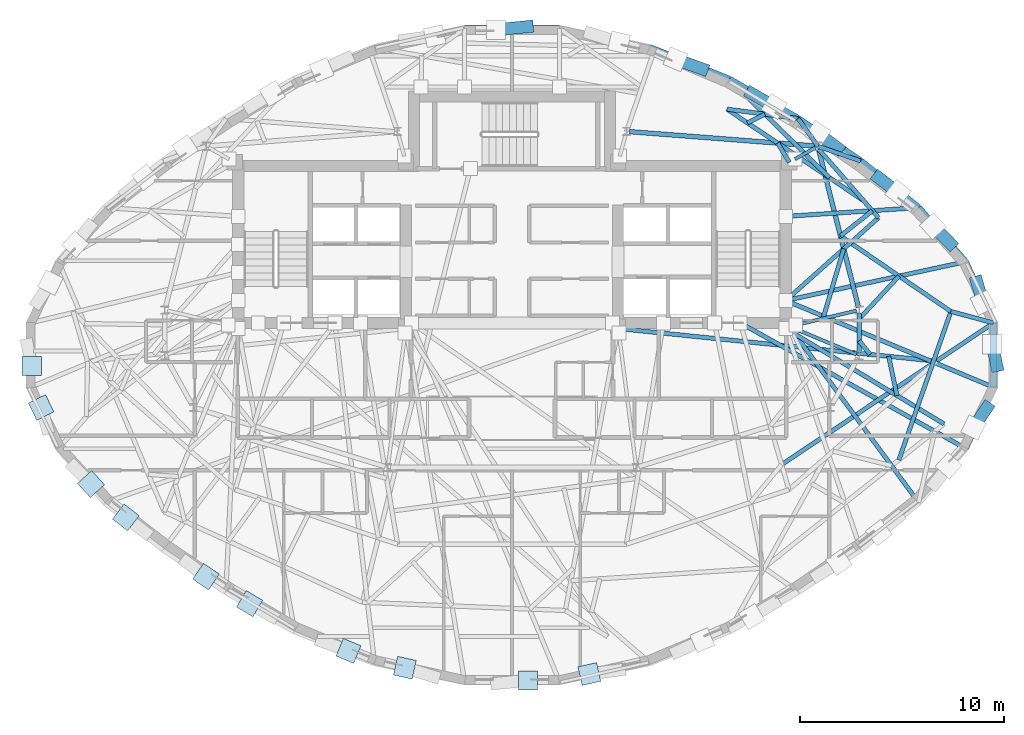
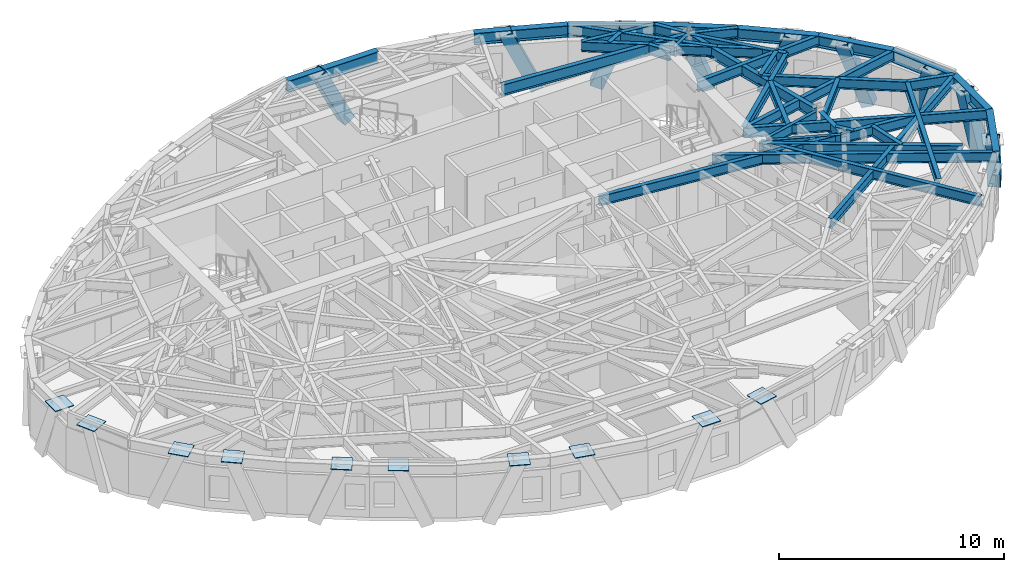
# One storey, part 4 of 13: 40 beams, 10 plates, 9 members.
"""IFC4 building model written with IfcOpenShell, lengths in metres."""

import ifcopenshell
import ifcopenshell.guid

model = None  # the IFC model being written
_history = None  # IfcOwnerHistory: only IFC2X3 demands one
_inside = {}  # id of a spatial element -> (the spatial element, [elements in it])
_under = {}  # id of a project, library or spatial element -> (it, [spatial elements below it])
_declared = {}  # id of a project -> (the project, [libraries it declares])
_typed = {}  # id of a type object -> (the type object, [elements of that type])
_made_of = {}  # id of a material, layer set ... -> (it, [elements and type objects made of it])


def new_model(schema):
    """Start an empty IFC model of exactly this schema.

    Asked for "IFC4X3", IfcOpenShell would pick the latest addendum, in which some entities
    have other attributes; the version numbers below select the first issue.
    IFC2X3 requires an IfcOwnerHistory on every rooted entity: one is made here for all.
    """
    global model, _history
    if schema == "IFC4X3":
        model = ifcopenshell.file(schema_version=(4, 3, 0, 0))
    else:
        model = ifcopenshell.file(schema=schema)
    _inside.clear()
    _under.clear()
    _declared.clear()
    _typed.clear()
    _made_of.clear()
    _history = None
    if model.schema == "IFC2X3":
        org = make("IfcOrganization", Name="unknown")
        user = make(
            "IfcPersonAndOrganization",
            ThePerson=make("IfcPerson", FamilyName="unknown"),
            TheOrganization=org,
        )
        app = make(
            "IfcApplication",
            ApplicationDeveloper=org,
            Version="unknown",
            ApplicationFullName="unknown",
            ApplicationIdentifier="unknown",
        )
        _history = make(
            "IfcOwnerHistory",
            OwningUser=user,
            OwningApplication=app,
            ChangeAction="ADDED",
            CreationDate=0,
        )
    return model


def make(cls, **values):
    """One entity of the class cls with the attributes given. An attribute that is None is left unset."""
    return model.create_entity(
        cls, **{name: value for name, value in values.items() if value is not None}
    )


def rooted(cls, **values):
    """An entity with a GlobalId (a new one), such as an element, a storey or a relation."""
    return make(cls, GlobalId=ifcopenshell.guid.new(), OwnerHistory=_history, **values)


def si_unit(unit_type, name, prefix=None):
    """IfcSIUnit, for example si_unit("LENGTHUNIT", "METRE", prefix="MILLI")."""
    return make("IfcSIUnit", UnitType=unit_type, Prefix=prefix, Name=name)


def assignment(units):
    """IfcUnitAssignment: the units of a project."""
    return None if units is None else make("IfcUnitAssignment", Units=units)


def point(xyz):
    """IfcCartesianPoint."""
    return None if xyz is None else make("IfcCartesianPoint", Coordinates=xyz)


def direction(xyz):
    """IfcDirection."""
    return None if xyz is None else make("IfcDirection", DirectionRatios=xyz)


def frame(location, z_axis=None, x_axis=None):
    """IfcAxis2Placement3D, a coordinate frame: its origin and axes. An axis left out is left unset."""
    return make(
        "IfcAxis2Placement3D",
        Location=point(location),
        Axis=direction(z_axis),
        RefDirection=direction(x_axis),
    )


def frame_2d(location, x_axis=None):
    """IfcAxis2Placement2D, a coordinate frame in the plane: its origin and x axis."""
    return make(
        "IfcAxis2Placement2D", Location=point(location), RefDirection=direction(x_axis)
    )


def origin():
    """The frame at (0, 0, 0) with its axes left unset."""
    return frame((0.0, 0.0, 0.0))


def origin_2d():
    """The frame at (0, 0) in the plane with its x axis left unset."""
    return frame_2d((0.0, 0.0))


def place(relative_to, where):
    """IfcLocalPlacement: puts the frame where relative to a parent placement (None: the world)."""
    return make(
        "IfcLocalPlacement", PlacementRelTo=relative_to, RelativePlacement=where
    )


def context(
    kind, dimensions, precision=None, world=None, true_north=None, identifier=None
):
    """IfcGeometricRepresentationContext, for example the 3D "Model" context."""
    return make(
        "IfcGeometricRepresentationContext",
        ContextIdentifier=identifier,
        ContextType=kind,
        CoordinateSpaceDimension=dimensions,
        Precision=precision,
        WorldCoordinateSystem=world,
        TrueNorth=true_north,
    )


def subcontext(parent, identifier, kind, view, scale=None):
    """IfcGeometricRepresentationSubContext, for example "Body" below "Model"."""
    return make(
        "IfcGeometricRepresentationSubContext",
        ContextIdentifier=identifier,
        ContextType=kind,
        ParentContext=parent,
        TargetScale=scale,
        TargetView=view,
    )


def project(units=None, contexts=None):
    """IfcProject with its units and contexts."""
    return rooted(
        "IfcProject",
        Name="project",
        RepresentationContexts=contexts,
        UnitsInContext=assignment(units),
    )


def spatial(cls, under=None, at=None, **own):
    """A site, building, storey or space (cls), placed at a placement, below another one or the project."""
    s = rooted(cls, ObjectPlacement=at, **own)
    if under is not None:
        _under.setdefault(under.id(), (under, []))[1].append(s)
    return s


def profile(cls, at=None, kind="AREA", **sizes):
    """A parametric profile (cls). Its sizes go by their IFC names, for example OverallWidth=200.0."""
    return make(cls, ProfileType=kind, Position=at, **sizes)


def rectangle(**sizes):
    """IfcRectangleProfileDef."""
    return profile("IfcRectangleProfileDef", **sizes)


def hollow_rectangle(**sizes):
    """IfcRectangleHollowProfileDef."""
    return profile("IfcRectangleHollowProfileDef", **sizes)


def i_section(**sizes):
    """IfcIShapeProfileDef."""
    return profile("IfcIShapeProfileDef", **sizes)


def extrude(swept, where, along, depth):
    """IfcExtrudedAreaSolid: the profile swept, set in the frame where, extruded along a direction by depth."""
    return make(
        "IfcExtrudedAreaSolid",
        SweptArea=swept,
        Position=where,
        ExtrudedDirection=direction(along),
        Depth=depth,
    )


def shape(context_of_items, identifier, shape_type, items):
    """IfcShapeRepresentation: the items that make up one representation, for example the "Body"."""
    return make(
        "IfcShapeRepresentation",
        ContextOfItems=context_of_items,
        RepresentationIdentifier=identifier,
        RepresentationType=shape_type,
        Items=items,
    )


def material(Name=None, Category=None):
    """IfcMaterial."""
    return make("IfcMaterial", Name=Name, Category=Category)


def layer(
    of_material, thickness, ventilated=None, Name=None, Category=None, Priority=None
):
    """IfcMaterialLayer: one layer of a wall or slab, of a material (None: an air gap)."""
    return make(
        "IfcMaterialLayer",
        Material=of_material,
        LayerThickness=thickness,
        IsVentilated=ventilated,
        Name=Name,
        Category=Category,
        Priority=Priority,
    )


def layer_set(layers, Name=None):
    """IfcMaterialLayerSet."""
    return make("IfcMaterialLayerSet", MaterialLayers=layers, LayerSetName=Name)


def material_profile(
    of_material, cross_section, Name=None, Category=None, Priority=None
):
    """IfcMaterialProfile: a cross section and its material."""
    return make(
        "IfcMaterialProfile",
        Name=Name,
        Material=of_material,
        Profile=cross_section,
        Priority=Priority,
        Category=Category,
    )


def profile_set(profiles, Name=None, composite=None):
    """IfcMaterialProfileSet."""
    return make(
        "IfcMaterialProfileSet",
        Name=Name,
        MaterialProfiles=profiles,
        CompositeProfile=composite,
    )


def made_of(thing, what):
    """Note that an element or type object is made of a material, layer set ...; save() writes the relation."""
    if what is not None:
        _made_of.setdefault(what.id(), (what, []))[1].append(thing)
    return thing


def type_object(cls, material=None, **own):
    """A type object (cls), such as IfcWallType, which elements share."""
    return made_of(rooted(cls, **own), material)


def element(
    cls,
    number,
    at=None,
    inside=None,
    cuts=None,
    type_object=None,
    material=None,
    context=None,
    identifier="Body",
    shape_type=None,
    held_by="IfcProductDefinitionShape",
    body=None,
    shapes=None,
    **own,
):
    """One element of the class cls, such as IfcWall. Its Tag is "e" and its number.

    at: its placement. inside: the storey or other place that contains it. cuts: it is an
    opening in that element (IfcRelVoidsElement). A single representation is given by context,
    identifier, shape_type and body (its items); several are given by shapes. held_by: the class
    of the entity that holds the representations. save() writes the other relations.
    """
    e = rooted(cls, Tag="e%d" % number, ObjectPlacement=at, **own)
    if body is not None:
        shapes = [shape(context, identifier, shape_type, body)]
    if shapes is not None:
        e.Representation = make(held_by, Representations=shapes)
    if inside is not None:
        _inside.setdefault(inside.id(), (inside, []))[1].append(e)
    if cuts is not None:
        rooted(
            "IfcRelVoidsElement", RelatingBuildingElement=cuts, RelatedOpeningElement=e
        )
    if type_object is not None:
        _typed.setdefault(type_object.id(), (type_object, []))[1].append(e)
    return made_of(e, material)


def aggregate(whole, parts):
    """IfcRelAggregates: a whole, such as a stair, and the parts it consists of."""
    return rooted("IfcRelAggregates", RelatingObject=whole, RelatedObjects=parts)


def save(model, path):
    """Write the relations noted so far, then the file.

    IfcRelAggregates (storeys below a building ...), IfcRelContainedInSpatialStructure (elements
    in a storey), IfcRelDefinesByType, IfcRelAssociatesMaterial and IfcRelDeclares: one each for
    every whole, place, type object, material and project.
    """
    for whole, parts in _under.values():
        aggregate(whole, parts)
    for where, things in _inside.values():
        rooted(
            "IfcRelContainedInSpatialStructure",
            RelatedElements=things,
            RelatingStructure=where,
        )
    for kind, things in _typed.values():
        rooted("IfcRelDefinesByType", RelatedObjects=things, RelatingType=kind)
    for what, things in _made_of.values():
        rooted("IfcRelAssociatesMaterial", RelatedObjects=things, RelatingMaterial=what)
    for by, libraries in _declared.values():
        rooted("IfcRelDeclares", RelatingContext=by, RelatedDefinitions=libraries)
    model.write(path)


model = new_model("IFC4")

# Units and contexts
model_context = context("Model", 3, precision=1e-05, world=origin(), true_north=direction((0.0, 1.0)))
body_context = subcontext(model_context, "Body", "Model", "MODEL_VIEW")
ifc_project = project(units=[si_unit("LENGTHUNIT", "METRE"), si_unit("AREAUNIT", "SQUARE_METRE"), si_unit("VOLUMEUNIT", "CUBIC_METRE"), si_unit("PLANEANGLEUNIT", "RADIAN"), si_unit("MASSUNIT", "GRAM", prefix="KILO")], contexts=[model_context])

# Site, building, storey
site_placement = place(None, origin())
site = spatial("IfcSite", under=ifc_project, at=site_placement, CompositionType="ELEMENT")
building_placement = place(site_placement, origin())
building = spatial("IfcBuilding", under=site, at=building_placement, Name="Keldmark Tower", CompositionType="ELEMENT")
storey_placement = place(building_placement, frame((0.0, 0.0, 210.0)))
storey = spatial("IfcBuildingStorey", under=building, at=storey_placement, Name="L58", CompositionType="ELEMENT", Elevation=210.0)

# Members
ifc_material_1 = material(Name="Steel ASTM A572 Grade 50", Category="steel")
ifc_material_profile_1 = material_profile(ifc_material_1, hollow_rectangle(XDim=0.60009765625, YDim=0.60009765625, WallThickness=0.034912109375, at=origin_2d()), Name="BOX600X600X35")
ifc_profile_set_1 = profile_set([ifc_material_profile_1], Name="Steel ASTM A572 Grade 50")
member_type = type_object("IfcMemberType", Name="Diagrid Zone 4 Brace BOX600X600X35", PredefinedType="BRACE", material=ifc_profile_set_1)
member_1_placement = place(storey_placement, frame((22.7939453125, 3.59228515625, -0.260009765625), z_axis=(0.090240232025, -0.310901737661, 0.946148408043), x_axis=(0.960364059003, 0.278748765334, 0.0)))
element("IfcMember", 1, at=member_1_placement, inside=storey, type_object=member_type, Name="L58 Perimeter Diagrid Brace 01A", PredefinedType="BRACE", context=body_context, shape_type="SweptSolid", body=[
    extrude(hollow_rectangle(XDim=0.60009765625, YDim=0.60009765625, WallThickness=0.034912109375, at=origin_2d()), origin(), (0.0, 0.0, 1.0), 3.287109375),
])
member_2_placement = place(storey_placement, frame((21.50439453125, 5.4619140625, -0.260009765625), z_axis=(-0.257204131961, 0.258665934359, 0.931095037525), x_axis=(-0.709107637227, -0.705100247359, 0.0)))
element("IfcMember", 2, at=member_2_placement, inside=storey, type_object=member_type, Name="L58 Perimeter Diagrid Brace 01B", PredefinedType="BRACE", context=body_context, shape_type="SweptSolid", body=[
    extrude(hollow_rectangle(XDim=0.60009765625, YDim=0.60009765625, WallThickness=0.034912109375, at=origin_2d()), origin(), (0.0, 0.0, 1.0), 3.34033203125),
])
member_3_placement = place(storey_placement, frame((17.96337890625, 8.708984375, -0.260009765625), z_axis=(0.291346772055, -0.223292839335, 0.930192112585), x_axis=(0.608306252229, 0.793702402352, 0.0)))
element("IfcMember", 3, at=member_3_placement, inside=storey, type_object=member_type, Name="L58 Perimeter Diagrid Brace 02A", PredefinedType="BRACE", context=body_context, shape_type="SweptSolid", body=[
    extrude(hollow_rectangle(XDim=0.60009765625, YDim=0.60009765625, WallThickness=0.034912109375, at=origin_2d()), origin(), (0.0, 0.0, 1.0), 3.343505859375),
])
member_4_placement = place(storey_placement, frame((15.97998046875, 10.14111328125, -0.260009765625), z_axis=(-0.291729776838, 0.216621609174, 0.931648439995), x_axis=(-0.596160940439, -0.802864953211, 0.0)))
element("IfcMember", 4, at=member_4_placement, inside=storey, type_object=member_type, Name="L58 Perimeter Diagrid Brace 02B", PredefinedType="BRACE", context=body_context, shape_type="SweptSolid", body=[
    extrude(hollow_rectangle(XDim=0.60009765625, YDim=0.60009765625, WallThickness=0.034912109375, at=origin_2d()), origin(), (0.0, 0.0, 1.0), 3.33837890625),
])
member_5_placement = place(storey_placement, frame((11.73681640625, 12.831787109375, -0.260009765625), z_axis=(0.335559982511, -0.189979243282, 0.922663202506), x_axis=(0.492676053826, 0.870212793509, 0.0)))
element("IfcMember", 5, at=member_5_placement, inside=storey, type_object=member_type, Name="L58 Perimeter Diagrid Brace 03A", PredefinedType="BRACE", context=body_context, shape_type="SweptSolid", body=[
    extrude(hollow_rectangle(XDim=0.60009765625, YDim=0.60009765625, WallThickness=0.034912109375, at=origin_2d()), origin(), (0.0, 0.0, 1.0), 3.370849609375),
])
member_6_placement = place(storey_placement, frame((9.344970703125, 14.027587890625, -0.260009765625), z_axis=(-0.388043307674, 0.140502137383, 0.910868563932), x_axis=(-0.340449006491, -0.940262981287, 0.0)))
element("IfcMember", 6, at=member_6_placement, inside=storey, type_object=member_type, Name="L58 Perimeter Diagrid Brace 03B", PredefinedType="BRACE", context=body_context, shape_type="SweptSolid", body=[
    extrude(hollow_rectangle(XDim=0.60009765625, YDim=0.60009765625, WallThickness=0.034912109375, at=origin_2d()), origin(), (0.0, 0.0, 1.0), 3.41455078125),
])
member_7_placement = place(storey_placement, frame((0.776611328125, 16.10595703125, -0.260009765625), z_axis=(-0.44737007556, -0.04396567984, 0.893267616389), x_axis=(0.097804691048, -0.995205628204, 0.0)))
element("IfcMember", 7, at=member_7_placement, inside=storey, type_object=member_type, Name="L58 Perimeter Diagrid Brace 04B", PredefinedType="BRACE", context=body_context, shape_type="SweptSolid", body=[
    extrude(hollow_rectangle(XDim=0.60009765625, YDim=0.60009765625, WallThickness=0.034912109375, at=origin_2d()), origin(), (0.0, 0.0, 1.0), 3.481689453125),
])
member_8_placement = place(storey_placement, frame((23.28662109375, -2.577880859375, -0.260009765625), z_axis=(-0.196237076436, -0.294685980102, 0.935227877559), x_axis=(0.832337294746, -0.554269454124, 0.0)))
element("IfcMember", 8, at=member_8_placement, inside=storey, type_object=member_type, Name="L58 Perimeter Diagrid Brace 16A", PredefinedType="BRACE", context=body_context, shape_type="SweptSolid", body=[
    extrude(hollow_rectangle(XDim=0.60009765625, YDim=0.60009765625, WallThickness=0.034912109375, at=origin_2d()), origin(), (0.0, 0.0, 1.0), 3.325439453125),
])
member_9_placement = place(storey_placement, frame((23.7744140625, -0.52490234375, -0.260009765625), z_axis=(-0.068370402706, 0.320866304241, 0.944653535873), x_axis=(-0.978043233778, -0.208402094186, 0.0)))
element("IfcMember", 9, at=member_9_placement, inside=storey, type_object=member_type, Name="L58 Perimeter Diagrid Brace 16B", PredefinedType="BRACE", context=body_context, shape_type="SweptSolid", body=[
    extrude(hollow_rectangle(XDim=0.60009765625, YDim=0.60009765625, WallThickness=0.034912109375, at=origin_2d()), origin(), (0.0, 0.0, 1.0), 3.292236328125),
])

# Beams
ifc_material_2 = material(Name="Steel ASTM A992 Grade 50", Category="steel")
ifc_material_profile_2 = material_profile(ifc_material_2, i_section(OverallWidth=0.22802734375, OverallDepth=0.60302734375, WebThickness=0.010498046875, FlangeThickness=0.014892578125, at=origin_2d()), Name="W24X68")
ifc_profile_set_2 = profile_set([ifc_material_profile_2], Name="Steel ASTM A992 Grade 50")
beam_type_1 = type_object("IfcBeamType", Name="Primary Floor Girder W24X68", PredefinedType="BEAM", material=ifc_profile_set_2)
beam_1_placement = place(storey_placement, frame((16.9912109375, 2.34375, 2.66845703125), z_axis=(-0.244902129455, 0.969547805417, 0.0), x_axis=(-0.969547805417, -0.244902129455, 0.0)))
element("IfcBeam", 10, at=beam_1_placement, inside=storey, type_object=beam_type_1, Name="L58 Floor Ring Girder FG-R01", PredefinedType="BEAM", context=body_context, shape_type="SweptSolid", body=[
    extrude(i_section(OverallWidth=0.22802734375, OverallDepth=0.60302734375, WebThickness=0.010498046875, FlangeThickness=0.014892578125, at=origin_2d()), origin(), (0.0, 0.0, 1.0), 8.008056640625),
])
beam_2_placement = place(storey_placement, frame((14.856201171875, 10.25439453125, 2.66845703125), z_axis=(-0.997037147832, 0.076921556421, 0.0), x_axis=(-0.076921556421, -0.997037147832, 0.0)))
element("IfcBeam", 11, at=beam_2_placement, inside=storey, type_object=beam_type_1, Name="L58 Floor Ring Girder FG-R02", PredefinedType="BEAM", context=body_context, shape_type="SweptSolid", body=[
    extrude(i_section(OverallWidth=0.22802734375, OverallDepth=0.60302734375, WebThickness=0.010498046875, FlangeThickness=0.014892578125, at=origin_2d()), origin(), (0.0, 0.0, 1.0), 9.125),
])
beam_3_placement = place(storey_placement, frame((17.025634765625, 0.115966796875, 2.66845703125), z_axis=(0.0, 1.0, 0.0), x_axis=(-1.0, 0.0, 0.0)))
element("IfcBeam", 12, at=beam_3_placement, inside=storey, type_object=beam_type_1, Name="L58 Floor Ring Girder FG-R12", PredefinedType="BEAM", context=body_context, shape_type="SweptSolid", body=[
    extrude(i_section(OverallWidth=0.22802734375, OverallDepth=0.60302734375, WebThickness=0.010498046875, FlangeThickness=0.014892578125, at=origin_2d()), origin(), (0.0, 0.0, 1.0), 1.9521484375),
])
ifc_material_3 = material(Name="Steel ASTM A992 Grade 50", Category="steel")
ifc_material_profile_3 = material_profile(ifc_material_3, i_section(OverallWidth=0.166015625, OverallDepth=0.529052734375, WebThickness=0.009765625, FlangeThickness=0.013671875, at=origin_2d()), Name="W21X50")
ifc_profile_set_3 = profile_set([ifc_material_profile_3], Name="Steel ASTM A992 Grade 50")
beam_type_2 = type_object("IfcBeamType", Name="Radial Tie Girder W21X50", PredefinedType="BEAM", material=ifc_profile_set_3)
beam_4_placement = place(storey_placement, frame((16.889404296875, 2.17578125, 2.70556640625), z_axis=(-0.97329039005, -0.229577474147, 0.0), x_axis=(0.229577474147, -0.97329039005, 0.0)))
element("IfcBeam", 13, at=beam_4_placement, inside=storey, type_object=beam_type_2, Name="L58 Floor Radial Girder FG-C01", PredefinedType="BEAM", context=body_context, shape_type="SweptSolid", body=[
    extrude(i_section(OverallWidth=0.166015625, OverallDepth=0.529052734375, WebThickness=0.009765625, FlangeThickness=0.013671875, at=origin_2d()), origin(), (0.0, 0.0, 1.0), 3.0595703125),
])
beam_5_placement = place(storey_placement, frame((14.8740234375, 10.174560546875, 2.70556640625), z_axis=(-0.869238046195, -0.494393789451, 0.0), x_axis=(0.494393789451, -0.869238046195, 0.0)))
element("IfcBeam", 14, at=beam_5_placement, inside=storey, type_object=beam_type_2, Name="L58 Floor Radial Girder FG-C02", PredefinedType="BEAM", context=body_context, shape_type="SweptSolid", body=[
    extrude(i_section(OverallWidth=0.166015625, OverallDepth=0.529052734375, WebThickness=0.009765625, FlangeThickness=0.013671875, at=origin_2d()), origin(), (0.0, 0.0, 1.0), 1.145751953125),
])
beam_6_placement = place(storey_placement, frame((16.896240234375, 0.02978515625, 2.70556640625), z_axis=(-0.923403331902, 0.383831065226, 0.0), x_axis=(-0.383831065226, -0.923403331902, 0.0)))
element("IfcBeam", 15, at=beam_6_placement, inside=storey, type_object=beam_type_2, Name="L58 Floor Radial Girder FG-C12", PredefinedType="BEAM", context=body_context, shape_type="SweptSolid", body=[
    extrude(i_section(OverallWidth=0.166015625, OverallDepth=0.529052734375, WebThickness=0.009765625, FlangeThickness=0.013671875, at=origin_2d()), origin(), (0.0, 0.0, 1.0), 3.249755859375),
])
ifc_material_4 = material(Name="Steel ASTM A992 Grade 50", Category="steel")
ifc_material_profile_4 = material_profile(ifc_material_4, i_section(OverallWidth=0.2099609375, OverallDepth=0.537109375, WebThickness=0.010986328125, FlangeThickness=0.017333984375, at=origin_2d()), Name="W21X68")
ifc_profile_set_4 = profile_set([ifc_material_profile_4], Name="Steel ASTM A992 Grade 50")
beam_type_3 = type_object("IfcBeamType", Name="Radial Tie Girder W21X68", PredefinedType="BEAM", material=ifc_profile_set_4)
beam_7_placement = place(storey_placement, frame((17.025634765625, 0.70166015625, 2.701416015625), z_axis=(0.623584243091, -0.781756158766, 0.0), x_axis=(0.781756158766, 0.623584243091, 0.0)))
element("IfcBeam", 16, at=beam_7_placement, inside=storey, type_object=beam_type_3, Name="L58 Framing Pin Header PH-006", PredefinedType="BEAM", context=body_context, shape_type="SweptSolid", body=[
    extrude(i_section(OverallWidth=0.2099609375, OverallDepth=0.537109375, WebThickness=0.010986328125, FlangeThickness=0.017333984375, at=origin_2d()), origin(), (0.0, 0.0, 1.0), 0.858154296875),
])
beam_8_placement = place(storey_placement, frame((5.199951171875, 1.300048828125, 2.701416015625), z_axis=(0.994769409136, -0.102146084839, 0.0), x_axis=(0.102146084839, 0.994769409136, 0.0)))
element("IfcBeam", 17, at=beam_8_placement, inside=storey, type_object=beam_type_3, Name="L58 Sub-Ring Step Girder STP1-M12", PredefinedType="BEAM", context=body_context, shape_type="SweptSolid", body=[
    extrude(i_section(OverallWidth=0.2099609375, OverallDepth=0.537109375, WebThickness=0.010986328125, FlangeThickness=0.017333984375, at=origin_2d()), origin(), (0.0, 0.0, 1.0), 15.69580078125),
])
beam_9_placement = place(storey_placement, frame((18.4716796875, -0.062744140625, 2.701416015625), z_axis=(0.207612228437, -0.978211205519, 0.0), x_axis=(0.978211205519, 0.207612228437, 0.0)))
element("IfcBeam", 18, at=beam_9_placement, inside=storey, type_object=beam_type_3, Name="L58 Framing Pin Header PH-011", PredefinedType="BEAM", context=body_context, shape_type="SweptSolid", body=[
    extrude(i_section(OverallWidth=0.2099609375, OverallDepth=0.537109375, WebThickness=0.010986328125, FlangeThickness=0.017333984375, at=origin_2d()), origin(), (0.0, 0.0, 1.0), 1.966064453125),
])
beam_10_placement = place(storey_placement, frame((13.425048828125, 1.300048828125, 2.701416015625), z_axis=(0.856569207152, -0.516032163106, 0.0), x_axis=(0.516032163106, 0.856569207152, 0.0)))
element("IfcBeam", 19, at=beam_10_placement, inside=storey, type_object=beam_type_3, Name="L58 Sub-Ring Step Girder STP2-M12", PredefinedType="BEAM", context=body_context, shape_type="SweptSolid", body=[
    extrude(i_section(OverallWidth=0.2099609375, OverallDepth=0.537109375, WebThickness=0.010986328125, FlangeThickness=0.017333984375, at=origin_2d()), origin(), (0.0, 0.0, 1.0), 9.06201171875),
])
beam_11_placement = place(storey_placement, frame((13.220703125, -5.373046875, 2.701416015625), z_axis=(0.831141655202, 0.556060742175, 0.0), x_axis=(-0.556060742175, 0.831141655202, 0.0)))
element("IfcBeam", 20, at=beam_11_placement, inside=storey, type_object=beam_type_3, Name="L58 Perimeter Radial Tie Girder RT-01", PredefinedType="BEAM", context=body_context, shape_type="SweptSolid", body=[
    extrude(i_section(OverallWidth=0.2099609375, OverallDepth=0.537109375, WebThickness=0.010986328125, FlangeThickness=0.017333984375, at=origin_2d()), origin(), (0.0, 0.0, 1.0), 12.4990234375),
])
beam_12_placement = place(storey_placement, frame((18.9716796875, -5.144287109375, 2.701416015625), z_axis=(0.330764862309, 0.943713201064, 0.0), x_axis=(-0.943713201064, 0.330764862309, 0.0)))
element("IfcBeam", 21, at=beam_12_placement, inside=storey, type_object=beam_type_3, Name="L58 Intermediate Radial Step Girder RT-02M", PredefinedType="BEAM", context=body_context, shape_type="SweptSolid", body=[
    extrude(i_section(OverallWidth=0.2099609375, OverallDepth=0.537109375, WebThickness=0.010986328125, FlangeThickness=0.017333984375, at=origin_2d()), origin(), (0.0, 0.0, 1.0), 7.7138671875),
])
beam_13_placement = place(storey_placement, frame((23.609130859375, 1.5771484375, 2.701416015625), z_axis=(-0.96599244085, 0.258570308079, 0.0), x_axis=(-0.258570308079, -0.96599244085, 0.0)))
element("IfcBeam", 22, at=beam_13_placement, inside=storey, type_object=beam_type_3, Name="L58 Local Collector Chord RT-02C", PredefinedType="BEAM", context=body_context, shape_type="SweptSolid", body=[
    extrude(i_section(OverallWidth=0.2099609375, OverallDepth=0.537109375, WebThickness=0.010986328125, FlangeThickness=0.017333984375, at=origin_2d()), origin(), (0.0, 0.0, 1.0), 2.159423828125),
])
beam_14_placement = place(storey_placement, frame((15.25146484375, 1.78955078125, 2.701416015625), z_axis=(0.284628745096, 0.958637823928, 0.0), x_axis=(-0.958637823928, 0.284628745096, 0.0)))
element("IfcBeam", 23, at=beam_14_placement, inside=storey, type_object=beam_type_3, Name="L58 Framing Pin Header PH-012", PredefinedType="BEAM", context=body_context, shape_type="SweptSolid", body=[
    extrude(i_section(OverallWidth=0.2099609375, OverallDepth=0.537109375, WebThickness=0.010986328125, FlangeThickness=0.017333984375, at=origin_2d()), origin(), (0.0, 0.0, 1.0), 3.568359375),
])
beam_15_placement = place(storey_placement, frame((13.425048828125, 2.675048828125, 2.701416015625), z_axis=(0.746258860034, 0.66565585239, 0.0), x_axis=(-0.66565585239, 0.746258860034, 0.0)))
element("IfcBeam", 24, at=beam_15_placement, inside=storey, type_object=beam_type_3, Name="L58 Intermediate Radial Step Girder RT-03M", PredefinedType="BEAM", context=body_context, shape_type="SweptSolid", body=[
    extrude(i_section(OverallWidth=0.2099609375, OverallDepth=0.537109375, WebThickness=0.010986328125, FlangeThickness=0.017333984375, at=origin_2d()), origin(), (0.0, 0.0, 1.0), 6.09423828125),
])
beam_16_placement = place(storey_placement, frame((15.030029296875, 10.10791015625, 2.701416015625), z_axis=(0.657071666793, -0.753828113496, 0.0), x_axis=(0.753828113496, 0.657071666793, 0.0)))
element("IfcBeam", 25, at=beam_16_placement, inside=storey, type_object=beam_type_3, Name="L58 Local Collector Chord RT-03C", PredefinedType="BEAM", context=body_context, shape_type="SweptSolid", body=[
    extrude(i_section(OverallWidth=0.2099609375, OverallDepth=0.537109375, WebThickness=0.010986328125, FlangeThickness=0.017333984375, at=origin_2d()), origin(), (0.0, 0.0, 1.0), 4.478759765625),
])
beam_17_placement = place(storey_placement, frame((16.10888671875, 5.837646484375, 2.701416015625), z_axis=(0.782775859018, 0.62230374781, 0.0), x_axis=(-0.62230374781, 0.782775859018, 0.0)))
element("IfcBeam", 26, at=beam_17_placement, inside=storey, type_object=beam_type_3, Name="L58 Framing Pin Header PH-013", PredefinedType="BEAM", context=body_context, shape_type="SweptSolid", body=[
    extrude(i_section(OverallWidth=0.2099609375, OverallDepth=0.537109375, WebThickness=0.010986328125, FlangeThickness=0.017333984375, at=origin_2d()), origin(), (0.0, 0.0, 1.0), 1.99462890625),
])
beam_18_placement = place(storey_placement, frame((13.425048828125, 6.800048828125, 2.701416015625), z_axis=(0.997850056585, 0.065538268009, 0.0), x_axis=(-0.065538268009, 0.997850056585, 0.0)))
element("IfcBeam", 27, at=beam_18_placement, inside=storey, type_object=beam_type_3, Name="L58 Perimeter Radial Tie Girder RT-03", PredefinedType="BEAM", context=body_context, shape_type="SweptSolid", body=[
    extrude(i_section(OverallWidth=0.2099609375, OverallDepth=0.537109375, WebThickness=0.010986328125, FlangeThickness=0.017333984375, at=origin_2d()), origin(), (0.0, 0.0, 1.0), 6.5263671875),
])
beam_19_placement = place(storey_placement, frame((14.995849609375, 10.24365234375, 2.701416015625), z_axis=(0.944928607825, -0.327276528512, 0.0), x_axis=(0.327276528512, 0.944928607825, 0.0)))
element("IfcBeam", 28, at=beam_19_placement, inside=storey, type_object=beam_type_3, Name="L58 Perimeter Column Bracket RT-04", PredefinedType="BEAM", context=body_context, shape_type="SweptSolid", body=[
    extrude(i_section(OverallWidth=0.2099609375, OverallDepth=0.537109375, WebThickness=0.010986328125, FlangeThickness=0.017333984375, at=origin_2d()), origin(), (0.0, 0.0, 1.0), 2.222900390625),
])
beam_20_placement = place(storey_placement, frame((14.995849609375, 10.24365234375, 2.701416015625), z_axis=(-0.58104351732, 0.813872490615, 0.0), x_axis=(-0.813872490615, -0.58104351732, 0.0)))
element("IfcBeam", 29, at=beam_20_placement, inside=storey, type_object=beam_type_3, Name="L58 Perimeter Column Bracket RT-05", PredefinedType="BEAM", context=body_context, shape_type="SweptSolid", body=[
    extrude(i_section(OverallWidth=0.2099609375, OverallDepth=0.537109375, WebThickness=0.010986328125, FlangeThickness=0.017333984375, at=origin_2d()), origin(), (0.0, 0.0, 1.0), 1.660888671875),
])
beam_21_placement = place(storey_placement, frame((13.60009765625, 9.449951171875, 2.701416015625), z_axis=(-0.517934544538, 0.855420252025, 0.0), x_axis=(-0.855420252025, -0.517934544538, 0.0)))
element("IfcBeam", 30, at=beam_21_placement, inside=storey, type_object=beam_type_3, Name="L58 Framing Pin Header PH-014", PredefinedType="BEAM", context=body_context, shape_type="SweptSolid", body=[
    extrude(i_section(OverallWidth=0.2099609375, OverallDepth=0.537109375, WebThickness=0.010986328125, FlangeThickness=0.017333984375, at=origin_2d()), origin(), (0.0, 0.0, 1.0), 1.10546875),
])
beam_22_placement = place(storey_placement, frame((17.2373046875, 7.57568359375, 2.701416015625), z_axis=(-0.830836115985, 0.556517159102, 0.0), x_axis=(-0.556517159102, -0.830836115985, 0.0)))
element("IfcBeam", 31, at=beam_22_placement, inside=storey, type_object=beam_type_3, Name="L58 Intermediate Radial Step Girder RT-06M", PredefinedType="BEAM", context=body_context, shape_type="SweptSolid", body=[
    extrude(i_section(OverallWidth=0.2099609375, OverallDepth=0.537109375, WebThickness=0.010986328125, FlangeThickness=0.017333984375, at=origin_2d()), origin(), (0.0, 0.0, 1.0), 8.05615234375),
])
beam_23_placement = place(storey_placement, frame((14.03076171875, 11.595458984375, 2.701416015625), z_axis=(-0.991275723652, 0.131804551128, 0.0), x_axis=(-0.131804551128, -0.991275723652, 0.0)))
element("IfcBeam", 32, at=beam_23_placement, inside=storey, type_object=beam_type_3, Name="L58 Local Collector Chord RT-06C", PredefinedType="BEAM", context=body_context, shape_type="SweptSolid", body=[
    extrude(i_section(OverallWidth=0.2099609375, OverallDepth=0.537109375, WebThickness=0.010986328125, FlangeThickness=0.017333984375, at=origin_2d()), origin(), (0.0, 0.0, 1.0), 3.517578125),
])
beam_24_placement = place(storey_placement, frame((11.548095703125, 11.38671875, 2.701416015625), z_axis=(0.893239590905, 0.449580952932, 0.0), x_axis=(-0.449580952932, 0.893239590905, 0.0)))
element("IfcBeam", 33, at=beam_24_placement, inside=storey, type_object=beam_type_3, Name="L58 Framing Pin Header PH-015", PredefinedType="BEAM", context=body_context, shape_type="SweptSolid", body=[
    extrude(i_section(OverallWidth=0.2099609375, OverallDepth=0.537109375, WebThickness=0.010986328125, FlangeThickness=0.017333984375, at=origin_2d()), origin(), (0.0, 0.0, 1.0), 0.9482421875),
])
beam_25_placement = place(storey_placement, frame((15.56396484375, 8.696533203125, 2.701416015625), z_axis=(-0.71297077144, 0.701193752876, 0.0), x_axis=(-0.701193752876, -0.71297077144, 0.0)))
element("IfcBeam", 34, at=beam_25_placement, inside=storey, type_object=beam_type_3, Name="L58 Perimeter Radial Tie Girder RT-06", PredefinedType="BEAM", context=body_context, shape_type="SweptSolid", body=[
    extrude(i_section(OverallWidth=0.2099609375, OverallDepth=0.537109375, WebThickness=0.010986328125, FlangeThickness=0.017333984375, at=origin_2d()), origin(), (0.0, 0.0, 1.0), 6.88232421875),
])
beam_26_placement = place(storey_placement, frame((13.60009765625, 1.39990234375, 2.701416015625), z_axis=(0.591997236355, -0.805939992895, 0.0), x_axis=(0.805939992895, 0.591997236355, 0.0)))
element("IfcBeam", 35, at=beam_26_placement, inside=storey, type_object=beam_type_3, Name="L58 Perimeter Radial Tie Girder RT-30", PredefinedType="BEAM", context=body_context, shape_type="SweptSolid", body=[
    extrude(i_section(OverallWidth=0.2099609375, OverallDepth=0.537109375, WebThickness=0.010986328125, FlangeThickness=0.017333984375, at=origin_2d()), origin(), (0.0, 0.0, 1.0), 10.705078125),
])
beam_27_placement = place(storey_placement, frame((11.19287109375, 1.574951171875, 2.701416015625), z_axis=(0.873620893642, -0.486607166195, 0.0), x_axis=(0.486607166195, 0.873620893642, 0.0)))
element("IfcBeam", 36, at=beam_27_placement, inside=storey, type_object=beam_type_3, Name="L58 Perimeter Radial Tie Girder RT-31", PredefinedType="BEAM", context=body_context, shape_type="SweptSolid", body=[
    extrude(i_section(OverallWidth=0.2099609375, OverallDepth=0.537109375, WebThickness=0.010986328125, FlangeThickness=0.017333984375, at=origin_2d()), origin(), (0.0, 0.0, 1.0), 12.63671875),
])
beam_28_placement = place(storey_placement, frame((13.425048828125, 2.675048828125, 2.701416015625), z_axis=(0.922792621006, -0.385297000529, 0.0), x_axis=(0.385297000529, 0.922792621006, 0.0)))
element("IfcBeam", 37, at=beam_28_placement, inside=storey, type_object=beam_type_3, Name="L58 Perimeter Radial Tie Girder RT-32", PredefinedType="BEAM", context=body_context, shape_type="SweptSolid", body=[
    extrude(i_section(OverallWidth=0.2099609375, OverallDepth=0.537109375, WebThickness=0.010986328125, FlangeThickness=0.017333984375, at=origin_2d()), origin(), (0.0, 0.0, 1.0), 11.0361328125),
])
beam_29_placement = place(storey_placement, frame((21.523193359375, 2.135498046875, 2.701416015625), z_axis=(-0.825476128719, 0.564437030071, 0.0), x_axis=(-0.564437030071, -0.825476128719, 0.0)))
element("IfcBeam", 38, at=beam_29_placement, inside=storey, type_object=beam_type_3, Name="L58 Straddling Support Chord RT-02RB", PredefinedType="BEAM", context=body_context, shape_type="SweptSolid", body=[
    extrude(i_section(OverallWidth=0.2099609375, OverallDepth=0.537109375, WebThickness=0.010986328125, FlangeThickness=0.017333984375, at=origin_2d()), origin(), (0.0, 0.0, 1.0), 6.55908203125),
])
beam_30_placement = place(storey_placement, frame((17.025634765625, 1.775146484375, 2.701416015625), z_axis=(0.681905729619, 0.731440069939, 0.0), x_axis=(-0.731440069939, 0.681905729619, 0.0)))
element("IfcBeam", 39, at=beam_30_placement, inside=storey, type_object=beam_type_3, Name="L58 Framing Pin Header PH-031", PredefinedType="BEAM", context=body_context, shape_type="SweptSolid", body=[
    extrude(i_section(OverallWidth=0.2099609375, OverallDepth=0.537109375, WebThickness=0.010986328125, FlangeThickness=0.017333984375, at=origin_2d()), origin(), (0.0, 0.0, 1.0), 2.868408203125),
])
beam_31_placement = place(storey_placement, frame((13.425048828125, 2.675048828125, 2.701416015625), z_axis=(0.977532759164, 0.210783549549, 0.0), x_axis=(-0.210783549549, 0.977532759164, 0.0)))
element("IfcBeam", 40, at=beam_31_placement, inside=storey, type_object=beam_type_3, Name="L58 Perimeter Radial Tie Girder RT-02R", PredefinedType="BEAM", context=body_context, shape_type="SweptSolid", body=[
    extrude(i_section(OverallWidth=0.2099609375, OverallDepth=0.537109375, WebThickness=0.010986328125, FlangeThickness=0.017333984375, at=origin_2d()), origin(), (0.0, 0.0, 1.0), 9.010009765625),
])
ifc_material_5 = material(Name="Steel ASTM A992 Grade 50", Category="steel")
ifc_material_profile_5 = material_profile(ifc_material_5, i_section(OverallWidth=0.326904296875, OverallDepth=0.6220703125, WebThickness=0.015380859375, FlangeThickness=0.0244140625, at=origin_2d()), Name="W24X131")
ifc_profile_set_5 = profile_set([ifc_material_profile_5], Name="Steel ASTM A992 Grade 50")
beam_type_4 = type_object("IfcBeamType", Name="Spandrel Ring Beam W24X131", PredefinedType="SPANDREL", material=ifc_profile_set_5)
beam_32_placement = place(storey_placement, frame((23.609130859375, 1.5771484375, 2.658935546875), z_axis=(-0.417358097416, 0.908742107818, 0.0), x_axis=(-0.908742107818, -0.417358097416, 0.0)))
element("IfcBeam", 41, at=beam_32_placement, inside=storey, type_object=beam_type_4, Name="L58 Perimeter Spandrel Ring Beam SRB-01", PredefinedType="SPANDREL", context=body_context, shape_type="SweptSolid", body=[
    extrude(i_section(OverallWidth=0.326904296875, OverallDepth=0.6220703125, WebThickness=0.015380859375, FlangeThickness=0.0244140625, at=origin_2d()), origin(), (0.0, 0.0, 1.0), 3.298095703125),
])
beam_33_placement = place(storey_placement, frame((22.232666015625, 4.57421875, 2.658935546875), z_axis=(-0.654183134366, 0.756336186302, 0.0), x_axis=(-0.756336186302, -0.654183134366, 0.0)))
element("IfcBeam", 42, at=beam_33_placement, inside=storey, type_object=beam_type_4, Name="L58 Perimeter Spandrel Ring Beam SRB-02", PredefinedType="SPANDREL", context=body_context, shape_type="SweptSolid", body=[
    extrude(i_section(OverallWidth=0.326904296875, OverallDepth=0.6220703125, WebThickness=0.015380859375, FlangeThickness=0.0244140625, at=origin_2d()), origin(), (0.0, 0.0, 1.0), 3.508544921875),
])
beam_34_placement = place(storey_placement, frame((19.9375, 7.227783203125, 2.658935546875), z_axis=(-0.778794775864, 0.627278803314, 0.0), x_axis=(-0.627278803314, -0.778794775864, 0.0)))
element("IfcBeam", 43, at=beam_34_placement, inside=storey, type_object=beam_type_4, Name="L58 Perimeter Spandrel Ring Beam SRB-03", PredefinedType="SPANDREL", context=body_context, shape_type="SweptSolid", body=[
    extrude(i_section(OverallWidth=0.326904296875, OverallDepth=0.6220703125, WebThickness=0.015380859375, FlangeThickness=0.0244140625, at=origin_2d()), origin(), (0.0, 0.0, 1.0), 3.64794921875),
])
beam_35_placement = place(storey_placement, frame((17.096435546875, 9.51611328125, 2.658935546875), z_axis=(-0.827592777121, 0.561328954586, 0.0), x_axis=(-0.561328954586, -0.827592777121, 0.0)))
element("IfcBeam", 44, at=beam_35_placement, inside=storey, type_object=beam_type_4, Name="L58 Perimeter Spandrel Ring Beam SRB-04", PredefinedType="SPANDREL", context=body_context, shape_type="SweptSolid", body=[
    extrude(i_section(OverallWidth=0.326904296875, OverallDepth=0.6220703125, WebThickness=0.015380859375, FlangeThickness=0.0244140625, at=origin_2d()), origin(), (0.0, 0.0, 1.0), 3.704345703125),
])
beam_36_placement = place(storey_placement, frame((14.03076171875, 11.595458984375, 2.658935546875), z_axis=(-0.868339797426, 0.495969753317, 0.0), x_axis=(-0.495969753317, -0.868339797426, 0.0)))
element("IfcBeam", 45, at=beam_36_placement, inside=storey, type_object=beam_type_4, Name="L58 Perimeter Spandrel Ring Beam SRB-05", PredefinedType="SPANDREL", context=body_context, shape_type="SweptSolid", body=[
    extrude(i_section(OverallWidth=0.326904296875, OverallDepth=0.6220703125, WebThickness=0.015380859375, FlangeThickness=0.0244140625, at=origin_2d()), origin(), (0.0, 0.0, 1.0), 3.88525390625),
])
beam_37_placement = place(storey_placement, frame((10.656982421875, 13.5224609375, 2.658935546875), z_axis=(-0.929170765931, 0.369650764558, 0.0), x_axis=(-0.369650764558, -0.929170765931, 0.0)))
element("IfcBeam", 46, at=beam_37_placement, inside=storey, type_object=beam_type_4, Name="L58 Perimeter Spandrel Ring Beam SRB-06", PredefinedType="SPANDREL", context=body_context, shape_type="SweptSolid", body=[
    extrude(i_section(OverallWidth=0.326904296875, OverallDepth=0.6220703125, WebThickness=0.015380859375, FlangeThickness=0.0244140625, at=origin_2d()), origin(), (0.0, 0.0, 1.0), 4.211181640625),
])
beam_38_placement = place(storey_placement, frame((2.3251953125, 16.0126953125, 2.658935546875), z_axis=(-1.0, 0.0, 0.0), x_axis=(0.0, -1.0, 0.0)))
element("IfcBeam", 47, at=beam_38_placement, inside=storey, type_object=beam_type_4, Name="L58 Perimeter Spandrel Ring Beam SRB-08", PredefinedType="SPANDREL", context=body_context, shape_type="SweptSolid", body=[
    extrude(i_section(OverallWidth=0.326904296875, OverallDepth=0.6220703125, WebThickness=0.015380859375, FlangeThickness=0.0244140625, at=origin_2d()), origin(), (0.0, 0.0, 1.0), 4.650390625),
])
beam_39_placement = place(storey_placement, frame((22.232666015625, -4.57421875, 2.658935546875), z_axis=(0.417358097416, 0.908742107818, 0.0), x_axis=(-0.908742107818, 0.417358097416, 0.0)))
element("IfcBeam", 48, at=beam_39_placement, inside=storey, type_object=beam_type_4, Name="L58 Perimeter Spandrel Ring Beam SRB-31", PredefinedType="SPANDREL", context=body_context, shape_type="SweptSolid", body=[
    extrude(i_section(OverallWidth=0.326904296875, OverallDepth=0.6220703125, WebThickness=0.015380859375, FlangeThickness=0.0244140625, at=origin_2d()), origin(), (0.0, 0.0, 1.0), 3.298095703125),
])
beam_40_placement = place(storey_placement, frame((23.609130859375, -1.5771484375, 2.658935546875), z_axis=(0.0, 1.0, 0.0), x_axis=(-1.0, 0.0, 0.0)))
element("IfcBeam", 49, at=beam_40_placement, inside=storey, type_object=beam_type_4, Name="L58 Perimeter Spandrel Ring Beam SRB-32", PredefinedType="SPANDREL", context=body_context, shape_type="SweptSolid", body=[
    extrude(i_section(OverallWidth=0.326904296875, OverallDepth=0.6220703125, WebThickness=0.015380859375, FlangeThickness=0.0244140625, at=origin_2d()), origin(), (0.0, 0.0, 1.0), 3.154296875),
])

# Plates
ifc_material_6 = material(Name="Steel ASTM A572 Grade 50", Category="steel")
ifc_layer = layer(ifc_material_6, 0.0400390625)
ifc_layer_set = layer_set([ifc_layer], Name="Steel ASTM A572 Grade 50")
plate_type = type_object("IfcPlateType", Name="Diagrid Node Assembly DN05 40 mm", PredefinedType="USERDEFINED", material=ifc_layer_set)
for number, where, z_axis, x_axis, name in (
    (50, (-23.54931640625, -0.531494140625, 2.830078125), (0.0, 0.0, 1.0), (0.0, -1.0, 0.0), "L58 Diagrid Node Assembly 16"),
    (51, (-23.090576171875, -2.5703125, 2.830078125), (0.0, 0.0, 1.0), (0.438998516526, -0.898487786499, 0.0), "L58 Diagrid Node Assembly 17"),
    (52, (-20.645263671875, -6.325927734375, 2.830078125), (0.0, 0.0, 1.0), (0.674302387584, -0.738455340626, 0.0), "L58 Diagrid Node Assembly 18"),
    (53, (-18.9375, -7.96240234375, 2.830078125), (0.0, 0.0, 1.0), (0.791010021561, -0.611803192039, 0.0), "L58 Diagrid Node Assembly 19"),
    (54, (-15.006103515625, -10.8642578125, 2.830078125), (0.0, 0.0, 1.0), (0.827570769564, -0.561361399958, 0.0), "L58 Diagrid Node Assembly 20"),
    (55, (-12.867919921875, -12.19140625, 2.830078125), (0.0, 0.0, 1.0), (0.859406411501, -0.511293086077, 0.0), "L58 Diagrid Node Assembly 21"),
    (56, (-8.02001953125, -14.50732421875, 2.830078125), (0.0, 0.0, 1.0), (0.921930771776, -0.387354685078, 0.0), "L58 Diagrid Node Assembly 22"),
    (57, (-5.25390625, -15.3330078125, 2.830078125), (0.0, 0.0, 1.0), (0.97564952142, -0.219335385547, 0.0), "L58 Diagrid Node Assembly 23"),
    (58, (0.781005859375, -15.952880859375, 2.830078125), (0.0, 0.0, 1.0), (1.0, 0.0, 0.0), "L58 Diagrid Node Assembly 24"),
    (59, (3.79248046875, -15.641845703125, 2.830078125), (0.0, 0.0, 1.0), (0.97564952142, 0.219335385547, 0.0), "L58 Diagrid Node Assembly 25"),
):
    element("IfcPlate", number, at=place(storey_placement, frame(where, z_axis=z_axis, x_axis=x_axis)), inside=storey, type_object=plate_type, Name=name, ObjectType="GUSSET", PredefinedType="USERDEFINED", context=body_context, shape_type="SweptSolid", body=[
        extrude(rectangle(XDim=0.93994140625, YDim=0.93994140625, at=origin_2d()), origin(), (0.0, 0.0, 1.0), 0.0400390625),
    ])

save(model, "model.ifc")
